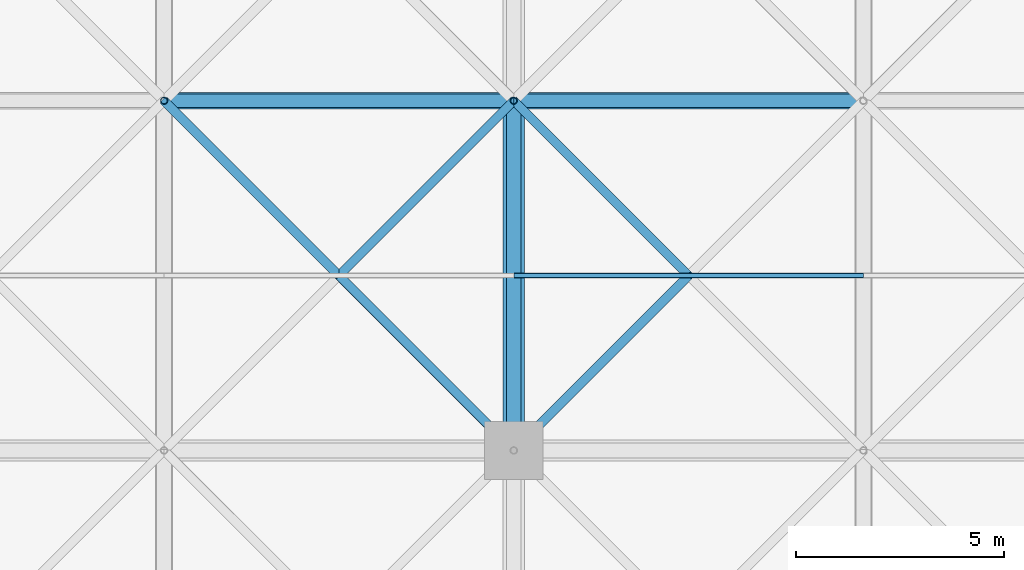
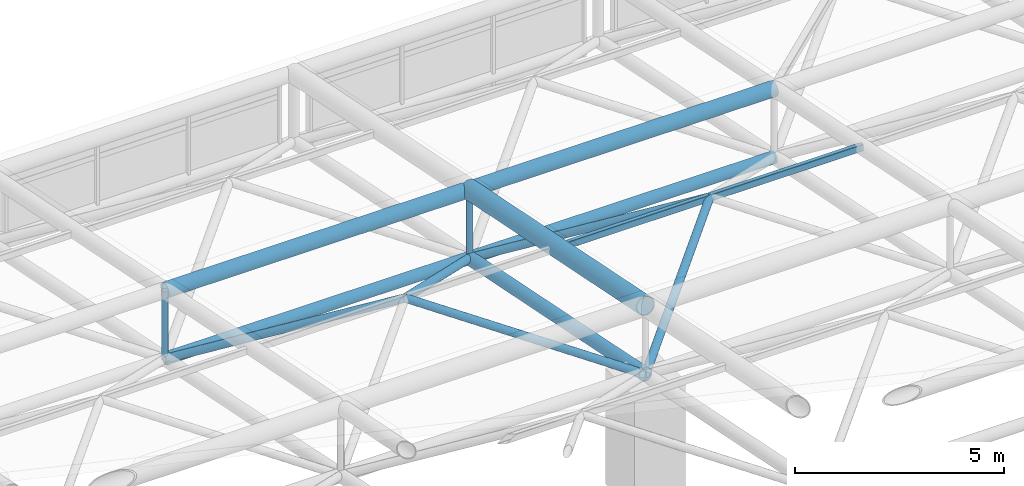
# One storey, part 53 of 81: 14 members.
"""IFC4 building model written with IfcOpenShell, lengths in metres."""

from ifc_helpers import new_model, si_unit, direction, frame, origin, origin_2d, place, context, subcontext, project, spatial, hollow_rectangle, hollow_circle, extrude, material, material_profile, profile_set, type_object, element, save


model = new_model("IFC4")

# Units and contexts
model_context = context("Model", 3, precision=1e-05, world=origin(), true_north=direction((0.0, 1.0)))
body_context = subcontext(model_context, "Body", "Model", "MODEL_VIEW")
ifc_project = project(units=[si_unit("LENGTHUNIT", "METRE"), si_unit("AREAUNIT", "SQUARE_METRE"), si_unit("VOLUMEUNIT", "CUBIC_METRE"), si_unit("PLANEANGLEUNIT", "RADIAN"), si_unit("MASSUNIT", "GRAM", prefix="KILO")], contexts=[model_context])

# Site, building, storey
site_placement = place(None, origin())
site = spatial("IfcSite", under=ifc_project, at=site_placement, CompositionType="ELEMENT")
building_placement = place(site_placement, origin())
building = spatial("IfcBuilding", under=site, at=building_placement, Name="Qawsi Khor Wholesale Market", CompositionType="ELEMENT")
storey_placement = place(building_placement, frame((0.0, 0.0, 16.199951171875)))
storey = spatial("IfcBuildingStorey", under=building, at=storey_placement, Name="L03", CompositionType="ELEMENT", Elevation=16.199951171875)

# Members
ifc_material = material(Name="Steel S355", Category="steel")
ifc_material_profile_1 = material_profile(ifc_material, hollow_circle(Radius=0.177734375, WallThickness=0.01611328125, at=origin_2d()), Name="CHS 355.6x16.0")
ifc_profile_set_1 = profile_set([ifc_material_profile_1], Name="Steel S355")
member_type_1 = type_object("IfcMemberType", Name="Space-Frame Bottom Chord CHS 355.6x16.0", PredefinedType="CHORD", material=ifc_profile_set_1)
member_1_placement = place(storey_placement, frame((58.800048828125, 92.39990234375, 3.3701171875), z_axis=(0.0, 0.98013111127, -0.198350711418), x_axis=(-1.0, 0.0, 0.0)))
element("IfcMember", 1, at=member_1_placement, inside=storey, type_object=member_type_1, Name="Space frame bottom chord Y WH (7,11)", PredefinedType="CHORD", context=body_context, shape_type="SweptSolid", body=[
    extrude(hollow_circle(Radius=0.177734375, WallThickness=0.01611328125, at=origin_2d()), origin(), (0.0, 0.0, 1.0), 8.5703125),
])
ifc_material_profile_2 = material_profile(ifc_material, hollow_rectangle(XDim=0.1201171875, YDim=0.199951171875, WallThickness=0.008056640625, InnerFilletRadius=0.008056640625, OuterFilletRadius=0.01611328125, at=origin_2d()), Name="RHS 200x120x8.0")
ifc_profile_set_2 = profile_set([ifc_material_profile_2], Name="Steel S355")
member_type_2 = type_object("IfcMemberType", Name="Space-Frame Heavy Purlin RHS 200x120x8.0", PredefinedType="PURLIN", material=ifc_profile_set_2)
member_2_placement = place(storey_placement, frame((58.800048828125, 96.60009765625, 4.52001953125), z_axis=(1.0, 0.0, 0.0), x_axis=(0.0, 1.0, 0.0)))
element("IfcMember", 2, at=member_2_placement, inside=storey, type_object=member_type_2, Name="Space frame purlin WH (7,11)", PredefinedType="PURLIN", context=body_context, shape_type="SweptSolid", body=[
    extrude(hollow_rectangle(XDim=0.1201171875, YDim=0.199951171875, WallThickness=0.008056640625, InnerFilletRadius=0.008056640625, OuterFilletRadius=0.01611328125, at=origin_2d()), origin(), (0.0, 0.0, 1.0), 8.39990234375),
])
ifc_material_profile_3 = material_profile(ifc_material, hollow_circle(Radius=0.109619140625, WallThickness=0.010009765625, at=origin_2d()), Name="CHS 219.1x10.0")
ifc_profile_set_3 = profile_set([ifc_material_profile_3], Name="Steel S355")
member_type_3 = type_object("IfcMemberType", Name="Space-Frame Inner Diagonal CHS 219.1x10.0", PredefinedType="RAFTER", material=ifc_profile_set_3)
member_3_placement = place(storey_placement, frame((58.800048828125, 92.39990234375, 3.3701171875), z_axis=(-0.694197266374, 0.694237619642, 0.19006389145), x_axis=(-0.707127332136, -0.70708622964, 0.0)))
element("IfcMember", 3, at=member_3_placement, inside=storey, type_object=member_type_3, Name="Space frame diagonal WH (6,11)-2", PredefinedType="RAFTER", context=body_context, shape_type="SweptSolid", body=[
    extrude(hollow_circle(Radius=0.109619140625, WallThickness=0.010009765625, at=origin_2d()), origin(), (0.0, 0.0, 1.0), 6.050048828125),
])
member_4_placement = place(storey_placement, frame((58.800048828125, 100.800048828125, 1.670166015625), z_axis=(-0.637521961484, -0.637521961484, 0.432586982294), x_axis=(0.707106781187, -0.707106781187, 0.0)))
element("IfcMember", 4, at=member_4_placement, inside=storey, type_object=member_type_3, Name="Space frame diagonal WH (6,11)-3", PredefinedType="RAFTER", context=body_context, shape_type="SweptSolid", body=[
    extrude(hollow_circle(Radius=0.109619140625, WallThickness=0.010009765625, at=origin_2d()), origin(), (0.0, 0.0, 1.0), 6.587890625),
])
member_5_placement = place(storey_placement, frame((50.39990234375, 100.800048828125, 1.670166015625), z_axis=(0.637543957519, -0.637506899628, 0.432576762155), x_axis=(0.70708622964, 0.707127332136, 0.0)))
element("IfcMember", 5, at=member_5_placement, inside=storey, type_object=member_type_3, Name="Space frame diagonal WH (6,11)-4", PredefinedType="RAFTER", context=body_context, shape_type="SweptSolid", body=[
    extrude(hollow_circle(Radius=0.109619140625, WallThickness=0.010009765625, at=origin_2d()), origin(), (0.0, 0.0, 1.0), 6.588134765625),
])
member_6_placement = place(storey_placement, frame((58.800048828125, 92.39990234375, 3.3701171875), z_axis=(0.694197266374, 0.694237619642, 0.19006389145), x_axis=(-0.707127332136, 0.70708622964, 0.0)))
element("IfcMember", 6, at=member_6_placement, inside=storey, type_object=member_type_3, Name="Space frame diagonal WH (7,11)-1", PredefinedType="RAFTER", context=body_context, shape_type="SweptSolid", body=[
    extrude(hollow_circle(Radius=0.109619140625, WallThickness=0.010009765625, at=origin_2d()), origin(), (0.0, 0.0, 1.0), 6.050048828125),
])
member_7_placement = place(storey_placement, frame((58.800048828125, 100.800048828125, 1.670166015625), z_axis=(0.637521961484, -0.637521961484, 0.432586982294), x_axis=(0.707106781187, 0.707106781187, 0.0)))
element("IfcMember", 7, at=member_7_placement, inside=storey, type_object=member_type_3, Name="Space frame diagonal WH (7,11)-4", PredefinedType="RAFTER", context=body_context, shape_type="SweptSolid", body=[
    extrude(hollow_circle(Radius=0.109619140625, WallThickness=0.010009765625, at=origin_2d()), origin(), (0.0, 0.0, 1.0), 6.587890625),
])
ifc_material_profile_4 = material_profile(ifc_material, hollow_circle(Radius=0.25390625, WallThickness=0.02490234375, at=origin_2d()), Name="CHS 508.0x25.0")
ifc_profile_set_4 = profile_set([ifc_material_profile_4], Name="Steel S355")
member_type_4 = type_object("IfcMemberType", Name="Space-Frame Main Chord CHS 508.0x25.0", PredefinedType="CHORD", material=ifc_profile_set_4)
member_8_placement = place(storey_placement, frame((58.800048828125, 92.39990234375, 5.3701171875), z_axis=(0.0, 0.98013111127, -0.198350711418), x_axis=(-1.0, 0.0, 0.0)))
element("IfcMember", 8, at=member_8_placement, inside=storey, type_object=member_type_4, Name="Space frame top chord Y WH (7,11)", PredefinedType="CHORD", context=body_context, shape_type="SweptSolid", body=[
    extrude(hollow_circle(Radius=0.25390625, WallThickness=0.02490234375, at=origin_2d()), origin(), (0.0, 0.0, 1.0), 8.5703125),
])
ifc_material_profile_5 = material_profile(ifc_material, hollow_circle(Radius=0.161865234375, WallThickness=0.01611328125, at=origin_2d()), Name="CHS 323.9x16.0")
ifc_profile_set_5 = profile_set([ifc_material_profile_5], Name="Steel S355")
member_type_5 = type_object("IfcMemberType", Name="Space-Frame Secondary Chord CHS 323.9x16.0", PredefinedType="CHORD", material=ifc_profile_set_5)
member_9_placement = place(storey_placement, frame((50.39990234375, 100.800048828125, 1.670166015625), z_axis=(1.0, 0.0, 0.0), x_axis=(0.0, 1.0, 0.0)))
element("IfcMember", 9, at=member_9_placement, inside=storey, type_object=member_type_5, Name="Space frame bottom chord X WH (6,12)", PredefinedType="CHORD", context=body_context, shape_type="SweptSolid", body=[
    extrude(hollow_circle(Radius=0.161865234375, WallThickness=0.01611328125, at=origin_2d()), origin(), (0.0, 0.0, 1.0), 8.400146484375),
])
member_10_placement = place(storey_placement, frame((58.800048828125, 100.800048828125, 1.670166015625), z_axis=(1.0, 0.0, 0.0), x_axis=(0.0, 1.0, 0.0)))
element("IfcMember", 10, at=member_10_placement, inside=storey, type_object=member_type_5, Name="Space frame bottom chord X WH (7,12)", PredefinedType="CHORD", context=body_context, shape_type="SweptSolid", body=[
    extrude(hollow_circle(Radius=0.161865234375, WallThickness=0.01611328125, at=origin_2d()), origin(), (0.0, 0.0, 1.0), 8.39990234375),
])
ifc_material_profile_6 = material_profile(ifc_material, hollow_circle(Radius=0.203125, WallThickness=0.02001953125, at=origin_2d()), Name="CHS 406.4x20.0")
ifc_profile_set_6 = profile_set([ifc_material_profile_6], Name="Steel S355")
member_type_6 = type_object("IfcMemberType", Name="Space-Frame Top Chord CHS 406.4x20.0", PredefinedType="CHORD", material=ifc_profile_set_6)
member_11_placement = place(storey_placement, frame((50.39990234375, 100.800048828125, 3.670166015625), z_axis=(1.0, 0.0, 0.0), x_axis=(0.0, 1.0, 0.0)))
element("IfcMember", 11, at=member_11_placement, inside=storey, type_object=member_type_6, Name="Space frame top chord X WH (6,12)", PredefinedType="CHORD", context=body_context, shape_type="SweptSolid", body=[
    extrude(hollow_circle(Radius=0.203125, WallThickness=0.02001953125, at=origin_2d()), origin(), (0.0, 0.0, 1.0), 8.400146484375),
])
member_12_placement = place(storey_placement, frame((58.800048828125, 100.800048828125, 3.670166015625), z_axis=(1.0, 0.0, 0.0), x_axis=(0.0, 1.0, 0.0)))
element("IfcMember", 12, at=member_12_placement, inside=storey, type_object=member_type_6, Name="Space frame top chord X WH (7,12)", PredefinedType="CHORD", context=body_context, shape_type="SweptSolid", body=[
    extrude(hollow_circle(Radius=0.203125, WallThickness=0.02001953125, at=origin_2d()), origin(), (0.0, 0.0, 1.0), 8.39990234375),
])
ifc_material_profile_7 = material_profile(ifc_material, hollow_circle(Radius=0.084228515625, WallThickness=0.008056640625, at=origin_2d()), Name="CHS 168.3x8.0")
ifc_profile_set_7 = profile_set([ifc_material_profile_7], Name="Steel S355")
member_type_7 = type_object("IfcMemberType", Name="Space-Frame Vertical Strut CHS 168.3x8.0", PredefinedType="STRUT", material=ifc_profile_set_7)
for number, where, z_axis, x_axis, name in (
    (13, (50.39990234375, 100.800048828125, 1.670166015625), (0.0, 0.0, 1.0), (1.0, 0.0, 0.0), "Space frame post WH (6,12)"),
    (14, (58.800048828125, 100.800048828125, 1.670166015625), (0.0, 0.0, 1.0), (1.0, 0.0, 0.0), "Space frame post WH (7,12)"),
):
    element("IfcMember", number, at=place(storey_placement, frame(where, z_axis=z_axis, x_axis=x_axis)), inside=storey, type_object=member_type_7, Name=name, PredefinedType="STRUT", context=body_context, shape_type="SweptSolid", body=[
        extrude(hollow_circle(Radius=0.084228515625, WallThickness=0.008056640625, at=origin_2d()), origin(), (0.0, 0.0, 1.0), 2.0),
    ])

save(model, "model.ifc")
